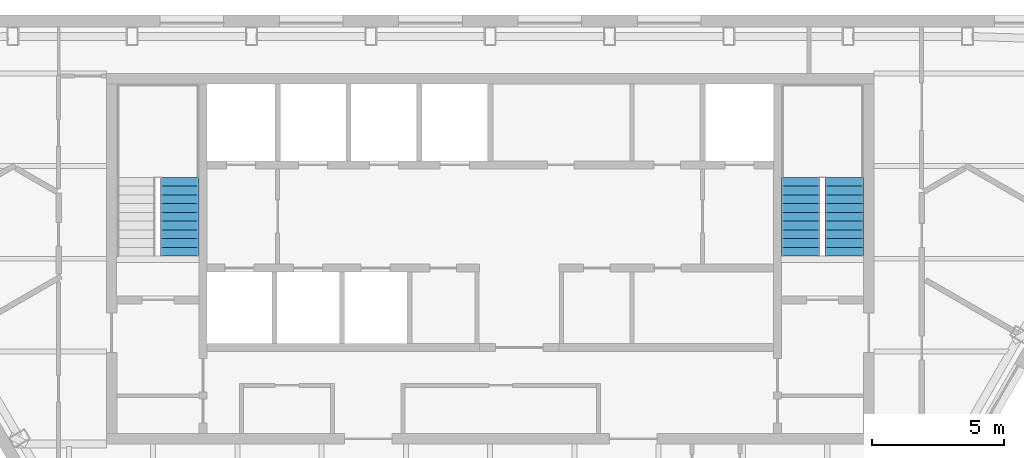
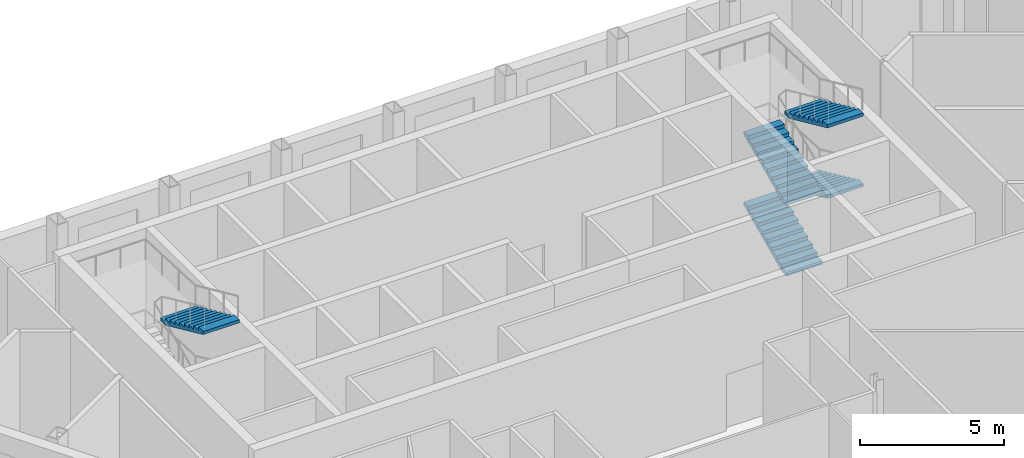
# One storey, part 10 of 11: 5 stair flights, 2 elements without a shape of their own.
"""IFC4 building model written with IfcOpenShell, lengths in metres."""

from ifc_helpers import new_model, si_unit, direction, frame, origin, place, context, subcontext, project, spatial, polygons, material, type_object, element, aggregate, save


model = new_model("IFC4")

# Units and contexts
model_context = context("Model", 3, precision=1e-05, world=origin(), true_north=direction((0.0, 1.0)))
body_context = subcontext(model_context, "Body", "Model", "MODEL_VIEW")
ifc_project = project(units=[si_unit("LENGTHUNIT", "METRE"), si_unit("AREAUNIT", "SQUARE_METRE"), si_unit("VOLUMEUNIT", "CUBIC_METRE"), si_unit("PLANEANGLEUNIT", "RADIAN"), si_unit("MASSUNIT", "GRAM", prefix="KILO")], contexts=[model_context])

# Site, building, storey
site_placement = place(None, origin())
site = spatial("IfcSite", under=ifc_project, at=site_placement, CompositionType="ELEMENT")
building_placement = place(site_placement, origin())
building = spatial("IfcBuilding", under=site, at=building_placement, Name="Njiva Tower", CompositionType="ELEMENT")
storey_placement = place(building_placement, frame((0.0, 0.0, 298.2)))
storey = spatial("IfcBuildingStorey", under=building, at=storey_placement, Name="L68", CompositionType="ELEMENT", Elevation=298.2)

# Stair, stair flight
ifc_material = material(Name="Concrete C40/50", Category="concrete")
stair_type = type_object("IfcStairType", Name="ST3 Exit stair 1450", PredefinedType="HALF_TURN_STAIR", material=ifc_material)
stair_1_placement = place(storey_placement, origin())
stair_1 = element("IfcStair", 1, at=stair_1_placement, inside=storey, type_object=stair_type, Name="Stair A", PredefinedType="DOUBLE_RETURN_STAIR")
stair_flight_type = type_object("IfcStairFlightType", Name="FL3 Stair flight 1450", PredefinedType="STRAIGHT", material=ifc_material)
stair_flight_1_placement = place(storey_placement, frame((-11.725, 14.07, 4.5), z_axis=(0.0, 0.0, 1.0), x_axis=(0.0, -1.0, 0.0)))
stair_flight_1 = element("IfcStairFlight", 2, at=stair_flight_1_placement, type_object=stair_flight_type, Name="ST-A flight 4", NumberOfRisers=10, NumberOfTreads=9, PredefinedType="STRAIGHT", RiserHeight=0.15, TreadLength=0.33, context=body_context, shape_type="Tessellation", body=[
    polygons([(0.0, 0.725, 0.0), (0.0, 0.3625, 0.0), (0.0, 0.0, 0.0), (0.0, -0.3625, 0.0), (0.0, -0.725, 0.0), (0.0, 0.725, 0.15), (0.0, 0.3625, 0.15), (0.0, 0.0, 0.15), (0.0, -0.3625, 0.15), (0.0, -0.725, 0.15), (0.33, 0.725, 0.15), (0.33, 0.3625, 0.15), (0.33, 0.0, 0.15), (0.33, -0.3625, 0.15), (0.33, -0.725, 0.15), (0.33, 0.725, 0.3), (0.33, 0.3625, 0.3), (0.33, 0.0, 0.3), (0.33, -0.3625, 0.3), (0.33, -0.725, 0.3), (0.66, 0.725, 0.3), (0.66, 0.3625, 0.3), (0.66, 0.0, 0.3), (0.66, -0.3625, 0.3), (0.66, -0.725, 0.3), (0.66, 0.725, 0.45), (0.66, 0.3625, 0.45), (0.66, 0.0, 0.45), (0.66, -0.3625, 0.45), (0.66, -0.725, 0.45), (0.99, 0.725, 0.45), (0.99, 0.3625, 0.45), (0.99, 0.0, 0.45), (0.99, -0.3625, 0.45), (0.99, -0.725, 0.45), (0.99, 0.725, 0.6), (0.99, 0.3625, 0.6), (0.99, 0.0, 0.6), (0.99, -0.3625, 0.6), (0.99, -0.725, 0.6), (1.32, 0.725, 0.6), (1.32, 0.3625, 0.6), (1.32, 0.0, 0.6), (1.32, -0.3625, 0.6), (1.32, -0.725, 0.6), (1.32, 0.725, 0.75), (1.32, 0.3625, 0.75), (1.32, 0.0, 0.75), (1.32, -0.3625, 0.75), (1.32, -0.725, 0.75), (1.65, 0.725, 0.75), (1.65, 0.3625, 0.75), (1.65, 0.0, 0.75), (1.65, -0.3625, 0.75), (1.65, -0.725, 0.75), (1.65, 0.725, 0.9), (1.65, 0.3625, 0.9), (1.65, 0.0, 0.9), (1.65, -0.3625, 0.9), (1.65, -0.725, 0.9), (1.98, 0.725, 0.9), (1.98, 0.3625, 0.9), (1.98, 0.0, 0.9), (1.98, -0.3625, 0.9), (1.98, -0.725, 0.9), (1.98, 0.725, 1.05), (1.98, 0.3625, 1.05), (1.98, 0.0, 1.05), (1.98, -0.3625, 1.05), (1.98, -0.725, 1.05), (2.31, 0.725, 1.05), (2.31, 0.3625, 1.05), (2.31, 0.0, 1.05), (2.31, -0.3625, 1.05), (2.31, -0.725, 1.05), (2.31, 0.725, 1.2), (2.31, 0.3625, 1.2), (2.31, 0.0, 1.2), (2.31, -0.3625, 1.2), (2.31, -0.725, 1.2), (2.64, 0.725, 1.2), (2.64, 0.3625, 1.2), (2.64, 0.0, 1.2), (2.64, -0.3625, 1.2), (2.64, -0.725, 1.2), (2.64, 0.725, 1.35), (2.64, 0.3625, 1.35), (2.64, 0.0, 1.35), (2.64, -0.3625, 1.35), (2.64, -0.725, 1.35), (2.97, 0.725, 1.35), (2.97, 0.3625, 1.35), (2.97, 0.0, 1.35), (2.97, -0.3625, 1.35), (2.97, -0.725, 1.35), (2.97, 0.725, 1.2182), (2.97, 0.3625, 1.2182), (2.97, 0.0, 1.2182), (2.97, -0.3625, 1.2182), (2.97, -0.725, 1.2182), (0.29, 0.725, 0.0), (0.29, 0.3625, 0.0), (0.29, 0.0, 0.0), (0.29, -0.3625, 0.0), (0.29, -0.725, 0.0)], [[[1, 6, 11, 16, 21, 26, 31, 36, 41, 46, 51, 56, 61, 66, 71, 76, 81, 86, 91, 96, 101]], [[105, 100, 95, 90, 85, 80, 75, 70, 65, 60, 55, 50, 45, 40, 35, 30, 25, 20, 15, 10, 5]], [[6, 1, 2, 7]], [[7, 2, 3, 8]], [[8, 3, 4, 9]], [[9, 4, 5, 10]], [[11, 6, 7, 12]], [[12, 7, 8, 13]], [[13, 8, 9, 14]], [[14, 9, 10, 15]], [[16, 11, 12, 17]], [[17, 12, 13, 18]], [[18, 13, 14, 19]], [[19, 14, 15, 20]], [[21, 16, 17, 22]], [[22, 17, 18, 23]], [[23, 18, 19, 24]], [[24, 19, 20, 25]], [[26, 21, 22, 27]], [[27, 22, 23, 28]], [[28, 23, 24, 29]], [[29, 24, 25, 30]], [[31, 26, 27, 32]], [[32, 27, 28, 33]], [[33, 28, 29, 34]], [[34, 29, 30, 35]], [[36, 31, 32, 37]], [[37, 32, 33, 38]], [[38, 33, 34, 39]], [[39, 34, 35, 40]], [[41, 36, 37, 42]], [[42, 37, 38, 43]], [[43, 38, 39, 44]], [[44, 39, 40, 45]], [[46, 41, 42, 47]], [[47, 42, 43, 48]], [[48, 43, 44, 49]], [[49, 44, 45, 50]], [[51, 46, 47, 52]], [[52, 47, 48, 53]], [[53, 48, 49, 54]], [[54, 49, 50, 55]], [[56, 51, 52, 57]], [[57, 52, 53, 58]], [[58, 53, 54, 59]], [[59, 54, 55, 60]], [[61, 56, 57, 62]], [[62, 57, 58, 63]], [[63, 58, 59, 64]], [[64, 59, 60, 65]], [[66, 61, 62, 67]], [[67, 62, 63, 68]], [[68, 63, 64, 69]], [[69, 64, 65, 70]], [[71, 66, 67, 72]], [[72, 67, 68, 73]], [[73, 68, 69, 74]], [[74, 69, 70, 75]], [[76, 71, 72, 77]], [[77, 72, 73, 78]], [[78, 73, 74, 79]], [[79, 74, 75, 80]], [[81, 76, 77, 82]], [[82, 77, 78, 83]], [[83, 78, 79, 84]], [[84, 79, 80, 85]], [[86, 81, 82, 87]], [[87, 82, 83, 88]], [[88, 83, 84, 89]], [[89, 84, 85, 90]], [[91, 86, 87, 92]], [[92, 87, 88, 93]], [[93, 88, 89, 94]], [[94, 89, 90, 95]], [[96, 91, 92, 97]], [[97, 92, 93, 98]], [[98, 93, 94, 99]], [[99, 94, 95, 100]], [[101, 96, 97, 102]], [[102, 97, 98, 103]], [[103, 98, 99, 104]], [[104, 99, 100, 105]], [[1, 101, 102, 2]], [[2, 102, 103, 3]], [[3, 103, 104, 4]], [[4, 104, 105, 5]]], closed=True),
])
aggregate(stair_1, [stair_flight_1])

# Stair, stair flights
stair_2_placement = place(storey_placement, origin())
stair_2 = element("IfcStair", 3, at=stair_2_placement, inside=storey, type_object=stair_type, Name="Stair B", PredefinedType="DOUBLE_RETURN_STAIR")
stair_flight_2_placement = place(storey_placement, frame((11.725, 11.1, 0.0), z_axis=(0.0, 0.0, 1.0), x_axis=(0.0, 1.0, 0.0)))
stair_flight_2 = element("IfcStairFlight", 4, at=stair_flight_2_placement, type_object=stair_flight_type, Name="ST-B flight 1", NumberOfRisers=10, NumberOfTreads=9, PredefinedType="STRAIGHT", RiserHeight=0.15, TreadLength=0.33, context=body_context, shape_type="Tessellation", body=[
    polygons([(0.0, 0.725, 0.0), (0.0, 0.3625, 0.0), (0.0, 0.0, 0.0), (0.0, -0.3625, 0.0), (0.0, -0.725, 0.0), (0.0, 0.725, 0.15), (0.0, 0.3625, 0.15), (0.0, 0.0, 0.15), (0.0, -0.3625, 0.15), (0.0, -0.725, 0.15), (0.33, 0.725, 0.15), (0.33, 0.3625, 0.15), (0.33, 0.0, 0.15), (0.33, -0.3625, 0.15), (0.33, -0.725, 0.15), (0.33, 0.725, 0.3), (0.33, 0.3625, 0.3), (0.33, 0.0, 0.3), (0.33, -0.3625, 0.3), (0.33, -0.725, 0.3), (0.66, 0.725, 0.3), (0.66, 0.3625, 0.3), (0.66, 0.0, 0.3), (0.66, -0.3625, 0.3), (0.66, -0.725, 0.3), (0.66, 0.725, 0.45), (0.66, 0.3625, 0.45), (0.66, 0.0, 0.45), (0.66, -0.3625, 0.45), (0.66, -0.725, 0.45), (0.99, 0.725, 0.45), (0.99, 0.3625, 0.45), (0.99, 0.0, 0.45), (0.99, -0.3625, 0.45), (0.99, -0.725, 0.45), (0.99, 0.725, 0.6), (0.99, 0.3625, 0.6), (0.99, 0.0, 0.6), (0.99, -0.3625, 0.6), (0.99, -0.725, 0.6), (1.32, 0.725, 0.6), (1.32, 0.3625, 0.6), (1.32, 0.0, 0.6), (1.32, -0.3625, 0.6), (1.32, -0.725, 0.6), (1.32, 0.725, 0.75), (1.32, 0.3625, 0.75), (1.32, 0.0, 0.75), (1.32, -0.3625, 0.75), (1.32, -0.725, 0.75), (1.65, 0.725, 0.75), (1.65, 0.3625, 0.75), (1.65, 0.0, 0.75), (1.65, -0.3625, 0.75), (1.65, -0.725, 0.75), (1.65, 0.725, 0.9), (1.65, 0.3625, 0.9), (1.65, 0.0, 0.9), (1.65, -0.3625, 0.9), (1.65, -0.725, 0.9), (1.98, 0.725, 0.9), (1.98, 0.3625, 0.9), (1.98, 0.0, 0.9), (1.98, -0.3625, 0.9), (1.98, -0.725, 0.9), (1.98, 0.725, 1.05), (1.98, 0.3625, 1.05), (1.98, 0.0, 1.05), (1.98, -0.3625, 1.05), (1.98, -0.725, 1.05), (2.31, 0.725, 1.05), (2.31, 0.3625, 1.05), (2.31, 0.0, 1.05), (2.31, -0.3625, 1.05), (2.31, -0.725, 1.05), (2.31, 0.725, 1.2), (2.31, 0.3625, 1.2), (2.31, 0.0, 1.2), (2.31, -0.3625, 1.2), (2.31, -0.725, 1.2), (2.64, 0.725, 1.2), (2.64, 0.3625, 1.2), (2.64, 0.0, 1.2), (2.64, -0.3625, 1.2), (2.64, -0.725, 1.2), (2.64, 0.725, 1.35), (2.64, 0.3625, 1.35), (2.64, 0.0, 1.35), (2.64, -0.3625, 1.35), (2.64, -0.725, 1.35), (2.97, 0.725, 1.35), (2.97, 0.3625, 1.35), (2.97, 0.0, 1.35), (2.97, -0.3625, 1.35), (2.97, -0.725, 1.35), (2.97, 0.725, 1.2182), (2.97, 0.3625, 1.2182), (2.97, 0.0, 1.2182), (2.97, -0.3625, 1.2182), (2.97, -0.725, 1.2182), (0.29, 0.725, 0.0), (0.29, 0.3625, 0.0), (0.29, 0.0, 0.0), (0.29, -0.3625, 0.0), (0.29, -0.725, 0.0)], [[[1, 6, 11, 16, 21, 26, 31, 36, 41, 46, 51, 56, 61, 66, 71, 76, 81, 86, 91, 96, 101]], [[105, 100, 95, 90, 85, 80, 75, 70, 65, 60, 55, 50, 45, 40, 35, 30, 25, 20, 15, 10, 5]], [[6, 1, 2, 7]], [[7, 2, 3, 8]], [[8, 3, 4, 9]], [[9, 4, 5, 10]], [[11, 6, 7, 12]], [[12, 7, 8, 13]], [[13, 8, 9, 14]], [[14, 9, 10, 15]], [[16, 11, 12, 17]], [[17, 12, 13, 18]], [[18, 13, 14, 19]], [[19, 14, 15, 20]], [[21, 16, 17, 22]], [[22, 17, 18, 23]], [[23, 18, 19, 24]], [[24, 19, 20, 25]], [[26, 21, 22, 27]], [[27, 22, 23, 28]], [[28, 23, 24, 29]], [[29, 24, 25, 30]], [[31, 26, 27, 32]], [[32, 27, 28, 33]], [[33, 28, 29, 34]], [[34, 29, 30, 35]], [[36, 31, 32, 37]], [[37, 32, 33, 38]], [[38, 33, 34, 39]], [[39, 34, 35, 40]], [[41, 36, 37, 42]], [[42, 37, 38, 43]], [[43, 38, 39, 44]], [[44, 39, 40, 45]], [[46, 41, 42, 47]], [[47, 42, 43, 48]], [[48, 43, 44, 49]], [[49, 44, 45, 50]], [[51, 46, 47, 52]], [[52, 47, 48, 53]], [[53, 48, 49, 54]], [[54, 49, 50, 55]], [[56, 51, 52, 57]], [[57, 52, 53, 58]], [[58, 53, 54, 59]], [[59, 54, 55, 60]], [[61, 56, 57, 62]], [[62, 57, 58, 63]], [[63, 58, 59, 64]], [[64, 59, 60, 65]], [[66, 61, 62, 67]], [[67, 62, 63, 68]], [[68, 63, 64, 69]], [[69, 64, 65, 70]], [[71, 66, 67, 72]], [[72, 67, 68, 73]], [[73, 68, 69, 74]], [[74, 69, 70, 75]], [[76, 71, 72, 77]], [[77, 72, 73, 78]], [[78, 73, 74, 79]], [[79, 74, 75, 80]], [[81, 76, 77, 82]], [[82, 77, 78, 83]], [[83, 78, 79, 84]], [[84, 79, 80, 85]], [[86, 81, 82, 87]], [[87, 82, 83, 88]], [[88, 83, 84, 89]], [[89, 84, 85, 90]], [[91, 86, 87, 92]], [[92, 87, 88, 93]], [[93, 88, 89, 94]], [[94, 89, 90, 95]], [[96, 91, 92, 97]], [[97, 92, 93, 98]], [[98, 93, 94, 99]], [[99, 94, 95, 100]], [[101, 96, 97, 102]], [[102, 97, 98, 103]], [[103, 98, 99, 104]], [[104, 99, 100, 105]], [[1, 101, 102, 2]], [[2, 102, 103, 3]], [[3, 103, 104, 4]], [[4, 104, 105, 5]]], closed=True),
])
stair_flight_3_placement = place(storey_placement, frame((13.375, 14.07, 1.5), z_axis=(0.0, 0.0, 1.0), x_axis=(0.0, -1.0, 0.0)))
stair_flight_3 = element("IfcStairFlight", 5, at=stair_flight_3_placement, type_object=stair_flight_type, Name="ST-B flight 2", NumberOfRisers=10, NumberOfTreads=9, PredefinedType="STRAIGHT", RiserHeight=0.15, TreadLength=0.33, context=body_context, shape_type="Tessellation", body=[
    polygons([(0.0, 0.725, 0.0), (0.0, 0.3625, 0.0), (0.0, 0.0, 0.0), (0.0, -0.3625, 0.0), (0.0, -0.725, 0.0), (0.0, 0.725, 0.15), (0.0, 0.3625, 0.15), (0.0, 0.0, 0.15), (0.0, -0.3625, 0.15), (0.0, -0.725, 0.15), (0.33, 0.725, 0.15), (0.33, 0.3625, 0.15), (0.33, 0.0, 0.15), (0.33, -0.3625, 0.15), (0.33, -0.725, 0.15), (0.33, 0.725, 0.3), (0.33, 0.3625, 0.3), (0.33, 0.0, 0.3), (0.33, -0.3625, 0.3), (0.33, -0.725, 0.3), (0.66, 0.725, 0.3), (0.66, 0.3625, 0.3), (0.66, 0.0, 0.3), (0.66, -0.3625, 0.3), (0.66, -0.725, 0.3), (0.66, 0.725, 0.45), (0.66, 0.3625, 0.45), (0.66, 0.0, 0.45), (0.66, -0.3625, 0.45), (0.66, -0.725, 0.45), (0.99, 0.725, 0.45), (0.99, 0.3625, 0.45), (0.99, 0.0, 0.45), (0.99, -0.3625, 0.45), (0.99, -0.725, 0.45), (0.99, 0.725, 0.6), (0.99, 0.3625, 0.6), (0.99, 0.0, 0.6), (0.99, -0.3625, 0.6), (0.99, -0.725, 0.6), (1.32, 0.725, 0.6), (1.32, 0.3625, 0.6), (1.32, 0.0, 0.6), (1.32, -0.3625, 0.6), (1.32, -0.725, 0.6), (1.32, 0.725, 0.75), (1.32, 0.3625, 0.75), (1.32, 0.0, 0.75), (1.32, -0.3625, 0.75), (1.32, -0.725, 0.75), (1.65, 0.725, 0.75), (1.65, 0.3625, 0.75), (1.65, 0.0, 0.75), (1.65, -0.3625, 0.75), (1.65, -0.725, 0.75), (1.65, 0.725, 0.9), (1.65, 0.3625, 0.9), (1.65, 0.0, 0.9), (1.65, -0.3625, 0.9), (1.65, -0.725, 0.9), (1.98, 0.725, 0.9), (1.98, 0.3625, 0.9), (1.98, 0.0, 0.9), (1.98, -0.3625, 0.9), (1.98, -0.725, 0.9), (1.98, 0.725, 1.05), (1.98, 0.3625, 1.05), (1.98, 0.0, 1.05), (1.98, -0.3625, 1.05), (1.98, -0.725, 1.05), (2.31, 0.725, 1.05), (2.31, 0.3625, 1.05), (2.31, 0.0, 1.05), (2.31, -0.3625, 1.05), (2.31, -0.725, 1.05), (2.31, 0.725, 1.2), (2.31, 0.3625, 1.2), (2.31, 0.0, 1.2), (2.31, -0.3625, 1.2), (2.31, -0.725, 1.2), (2.64, 0.725, 1.2), (2.64, 0.3625, 1.2), (2.64, 0.0, 1.2), (2.64, -0.3625, 1.2), (2.64, -0.725, 1.2), (2.64, 0.725, 1.35), (2.64, 0.3625, 1.35), (2.64, 0.0, 1.35), (2.64, -0.3625, 1.35), (2.64, -0.725, 1.35), (2.97, 0.725, 1.35), (2.97, 0.3625, 1.35), (2.97, 0.0, 1.35), (2.97, -0.3625, 1.35), (2.97, -0.725, 1.35), (2.97, 0.725, 1.2182), (2.97, 0.3625, 1.2182), (2.97, 0.0, 1.2182), (2.97, -0.3625, 1.2182), (2.97, -0.725, 1.2182), (0.29, 0.725, 0.0), (0.29, 0.3625, 0.0), (0.29, 0.0, 0.0), (0.29, -0.3625, 0.0), (0.29, -0.725, 0.0)], [[[1, 6, 11, 16, 21, 26, 31, 36, 41, 46, 51, 56, 61, 66, 71, 76, 81, 86, 91, 96, 101]], [[105, 100, 95, 90, 85, 80, 75, 70, 65, 60, 55, 50, 45, 40, 35, 30, 25, 20, 15, 10, 5]], [[6, 1, 2, 7]], [[7, 2, 3, 8]], [[8, 3, 4, 9]], [[9, 4, 5, 10]], [[11, 6, 7, 12]], [[12, 7, 8, 13]], [[13, 8, 9, 14]], [[14, 9, 10, 15]], [[16, 11, 12, 17]], [[17, 12, 13, 18]], [[18, 13, 14, 19]], [[19, 14, 15, 20]], [[21, 16, 17, 22]], [[22, 17, 18, 23]], [[23, 18, 19, 24]], [[24, 19, 20, 25]], [[26, 21, 22, 27]], [[27, 22, 23, 28]], [[28, 23, 24, 29]], [[29, 24, 25, 30]], [[31, 26, 27, 32]], [[32, 27, 28, 33]], [[33, 28, 29, 34]], [[34, 29, 30, 35]], [[36, 31, 32, 37]], [[37, 32, 33, 38]], [[38, 33, 34, 39]], [[39, 34, 35, 40]], [[41, 36, 37, 42]], [[42, 37, 38, 43]], [[43, 38, 39, 44]], [[44, 39, 40, 45]], [[46, 41, 42, 47]], [[47, 42, 43, 48]], [[48, 43, 44, 49]], [[49, 44, 45, 50]], [[51, 46, 47, 52]], [[52, 47, 48, 53]], [[53, 48, 49, 54]], [[54, 49, 50, 55]], [[56, 51, 52, 57]], [[57, 52, 53, 58]], [[58, 53, 54, 59]], [[59, 54, 55, 60]], [[61, 56, 57, 62]], [[62, 57, 58, 63]], [[63, 58, 59, 64]], [[64, 59, 60, 65]], [[66, 61, 62, 67]], [[67, 62, 63, 68]], [[68, 63, 64, 69]], [[69, 64, 65, 70]], [[71, 66, 67, 72]], [[72, 67, 68, 73]], [[73, 68, 69, 74]], [[74, 69, 70, 75]], [[76, 71, 72, 77]], [[77, 72, 73, 78]], [[78, 73, 74, 79]], [[79, 74, 75, 80]], [[81, 76, 77, 82]], [[82, 77, 78, 83]], [[83, 78, 79, 84]], [[84, 79, 80, 85]], [[86, 81, 82, 87]], [[87, 82, 83, 88]], [[88, 83, 84, 89]], [[89, 84, 85, 90]], [[91, 86, 87, 92]], [[92, 87, 88, 93]], [[93, 88, 89, 94]], [[94, 89, 90, 95]], [[96, 91, 92, 97]], [[97, 92, 93, 98]], [[98, 93, 94, 99]], [[99, 94, 95, 100]], [[101, 96, 97, 102]], [[102, 97, 98, 103]], [[103, 98, 99, 104]], [[104, 99, 100, 105]], [[1, 101, 102, 2]], [[2, 102, 103, 3]], [[3, 103, 104, 4]], [[4, 104, 105, 5]]], closed=True),
])
stair_flight_4_placement = place(storey_placement, frame((11.725, 11.1, 3.0), z_axis=(0.0, 0.0, 1.0), x_axis=(0.0, 1.0, 0.0)))
stair_flight_4 = element("IfcStairFlight", 6, at=stair_flight_4_placement, type_object=stair_flight_type, Name="ST-B flight 3", NumberOfRisers=10, NumberOfTreads=9, PredefinedType="STRAIGHT", RiserHeight=0.15, TreadLength=0.33, context=body_context, shape_type="Tessellation", body=[
    polygons([(0.0, 0.725, 0.0), (0.0, 0.3625, 0.0), (0.0, 0.0, 0.0), (0.0, -0.3625, 0.0), (0.0, -0.725, 0.0), (0.0, 0.725, 0.15), (0.0, 0.3625, 0.15), (0.0, 0.0, 0.15), (0.0, -0.3625, 0.15), (0.0, -0.725, 0.15), (0.33, 0.725, 0.15), (0.33, 0.3625, 0.15), (0.33, 0.0, 0.15), (0.33, -0.3625, 0.15), (0.33, -0.725, 0.15), (0.33, 0.725, 0.3), (0.33, 0.3625, 0.3), (0.33, 0.0, 0.3), (0.33, -0.3625, 0.3), (0.33, -0.725, 0.3), (0.66, 0.725, 0.3), (0.66, 0.3625, 0.3), (0.66, 0.0, 0.3), (0.66, -0.3625, 0.3), (0.66, -0.725, 0.3), (0.66, 0.725, 0.45), (0.66, 0.3625, 0.45), (0.66, 0.0, 0.45), (0.66, -0.3625, 0.45), (0.66, -0.725, 0.45), (0.99, 0.725, 0.45), (0.99, 0.3625, 0.45), (0.99, 0.0, 0.45), (0.99, -0.3625, 0.45), (0.99, -0.725, 0.45), (0.99, 0.725, 0.6), (0.99, 0.3625, 0.6), (0.99, 0.0, 0.6), (0.99, -0.3625, 0.6), (0.99, -0.725, 0.6), (1.32, 0.725, 0.6), (1.32, 0.3625, 0.6), (1.32, 0.0, 0.6), (1.32, -0.3625, 0.6), (1.32, -0.725, 0.6), (1.32, 0.725, 0.75), (1.32, 0.3625, 0.75), (1.32, 0.0, 0.75), (1.32, -0.3625, 0.75), (1.32, -0.725, 0.75), (1.65, 0.725, 0.75), (1.65, 0.3625, 0.75), (1.65, 0.0, 0.75), (1.65, -0.3625, 0.75), (1.65, -0.725, 0.75), (1.65, 0.725, 0.9), (1.65, 0.3625, 0.9), (1.65, 0.0, 0.9), (1.65, -0.3625, 0.9), (1.65, -0.725, 0.9), (1.98, 0.725, 0.9), (1.98, 0.3625, 0.9), (1.98, 0.0, 0.9), (1.98, -0.3625, 0.9), (1.98, -0.725, 0.9), (1.98, 0.725, 1.05), (1.98, 0.3625, 1.05), (1.98, 0.0, 1.05), (1.98, -0.3625, 1.05), (1.98, -0.725, 1.05), (2.31, 0.725, 1.05), (2.31, 0.3625, 1.05), (2.31, 0.0, 1.05), (2.31, -0.3625, 1.05), (2.31, -0.725, 1.05), (2.31, 0.725, 1.2), (2.31, 0.3625, 1.2), (2.31, 0.0, 1.2), (2.31, -0.3625, 1.2), (2.31, -0.725, 1.2), (2.64, 0.725, 1.2), (2.64, 0.3625, 1.2), (2.64, 0.0, 1.2), (2.64, -0.3625, 1.2), (2.64, -0.725, 1.2), (2.64, 0.725, 1.35), (2.64, 0.3625, 1.35), (2.64, 0.0, 1.35), (2.64, -0.3625, 1.35), (2.64, -0.725, 1.35), (2.97, 0.725, 1.35), (2.97, 0.3625, 1.35), (2.97, 0.0, 1.35), (2.97, -0.3625, 1.35), (2.97, -0.725, 1.35), (2.97, 0.725, 1.2182), (2.97, 0.3625, 1.2182), (2.97, 0.0, 1.2182), (2.97, -0.3625, 1.2182), (2.97, -0.725, 1.2182), (0.29, 0.725, 0.0), (0.29, 0.3625, 0.0), (0.29, 0.0, 0.0), (0.29, -0.3625, 0.0), (0.29, -0.725, 0.0)], [[[1, 6, 11, 16, 21, 26, 31, 36, 41, 46, 51, 56, 61, 66, 71, 76, 81, 86, 91, 96, 101]], [[105, 100, 95, 90, 85, 80, 75, 70, 65, 60, 55, 50, 45, 40, 35, 30, 25, 20, 15, 10, 5]], [[6, 1, 2, 7]], [[7, 2, 3, 8]], [[8, 3, 4, 9]], [[9, 4, 5, 10]], [[11, 6, 7, 12]], [[12, 7, 8, 13]], [[13, 8, 9, 14]], [[14, 9, 10, 15]], [[16, 11, 12, 17]], [[17, 12, 13, 18]], [[18, 13, 14, 19]], [[19, 14, 15, 20]], [[21, 16, 17, 22]], [[22, 17, 18, 23]], [[23, 18, 19, 24]], [[24, 19, 20, 25]], [[26, 21, 22, 27]], [[27, 22, 23, 28]], [[28, 23, 24, 29]], [[29, 24, 25, 30]], [[31, 26, 27, 32]], [[32, 27, 28, 33]], [[33, 28, 29, 34]], [[34, 29, 30, 35]], [[36, 31, 32, 37]], [[37, 32, 33, 38]], [[38, 33, 34, 39]], [[39, 34, 35, 40]], [[41, 36, 37, 42]], [[42, 37, 38, 43]], [[43, 38, 39, 44]], [[44, 39, 40, 45]], [[46, 41, 42, 47]], [[47, 42, 43, 48]], [[48, 43, 44, 49]], [[49, 44, 45, 50]], [[51, 46, 47, 52]], [[52, 47, 48, 53]], [[53, 48, 49, 54]], [[54, 49, 50, 55]], [[56, 51, 52, 57]], [[57, 52, 53, 58]], [[58, 53, 54, 59]], [[59, 54, 55, 60]], [[61, 56, 57, 62]], [[62, 57, 58, 63]], [[63, 58, 59, 64]], [[64, 59, 60, 65]], [[66, 61, 62, 67]], [[67, 62, 63, 68]], [[68, 63, 64, 69]], [[69, 64, 65, 70]], [[71, 66, 67, 72]], [[72, 67, 68, 73]], [[73, 68, 69, 74]], [[74, 69, 70, 75]], [[76, 71, 72, 77]], [[77, 72, 73, 78]], [[78, 73, 74, 79]], [[79, 74, 75, 80]], [[81, 76, 77, 82]], [[82, 77, 78, 83]], [[83, 78, 79, 84]], [[84, 79, 80, 85]], [[86, 81, 82, 87]], [[87, 82, 83, 88]], [[88, 83, 84, 89]], [[89, 84, 85, 90]], [[91, 86, 87, 92]], [[92, 87, 88, 93]], [[93, 88, 89, 94]], [[94, 89, 90, 95]], [[96, 91, 92, 97]], [[97, 92, 93, 98]], [[98, 93, 94, 99]], [[99, 94, 95, 100]], [[101, 96, 97, 102]], [[102, 97, 98, 103]], [[103, 98, 99, 104]], [[104, 99, 100, 105]], [[1, 101, 102, 2]], [[2, 102, 103, 3]], [[3, 103, 104, 4]], [[4, 104, 105, 5]]], closed=True),
])
stair_flight_5_placement = place(storey_placement, frame((13.375, 14.07, 4.5), z_axis=(0.0, 0.0, 1.0), x_axis=(0.0, -1.0, 0.0)))
stair_flight_5 = element("IfcStairFlight", 7, at=stair_flight_5_placement, type_object=stair_flight_type, Name="ST-B flight 4", NumberOfRisers=10, NumberOfTreads=9, PredefinedType="STRAIGHT", RiserHeight=0.15, TreadLength=0.33, context=body_context, shape_type="Tessellation", body=[
    polygons([(0.0, 0.725, 0.0), (0.0, 0.3625, 0.0), (0.0, 0.0, 0.0), (0.0, -0.3625, 0.0), (0.0, -0.725, 0.0), (0.0, 0.725, 0.15), (0.0, 0.3625, 0.15), (0.0, 0.0, 0.15), (0.0, -0.3625, 0.15), (0.0, -0.725, 0.15), (0.33, 0.725, 0.15), (0.33, 0.3625, 0.15), (0.33, 0.0, 0.15), (0.33, -0.3625, 0.15), (0.33, -0.725, 0.15), (0.33, 0.725, 0.3), (0.33, 0.3625, 0.3), (0.33, 0.0, 0.3), (0.33, -0.3625, 0.3), (0.33, -0.725, 0.3), (0.66, 0.725, 0.3), (0.66, 0.3625, 0.3), (0.66, 0.0, 0.3), (0.66, -0.3625, 0.3), (0.66, -0.725, 0.3), (0.66, 0.725, 0.45), (0.66, 0.3625, 0.45), (0.66, 0.0, 0.45), (0.66, -0.3625, 0.45), (0.66, -0.725, 0.45), (0.99, 0.725, 0.45), (0.99, 0.3625, 0.45), (0.99, 0.0, 0.45), (0.99, -0.3625, 0.45), (0.99, -0.725, 0.45), (0.99, 0.725, 0.6), (0.99, 0.3625, 0.6), (0.99, 0.0, 0.6), (0.99, -0.3625, 0.6), (0.99, -0.725, 0.6), (1.32, 0.725, 0.6), (1.32, 0.3625, 0.6), (1.32, 0.0, 0.6), (1.32, -0.3625, 0.6), (1.32, -0.725, 0.6), (1.32, 0.725, 0.75), (1.32, 0.3625, 0.75), (1.32, 0.0, 0.75), (1.32, -0.3625, 0.75), (1.32, -0.725, 0.75), (1.65, 0.725, 0.75), (1.65, 0.3625, 0.75), (1.65, 0.0, 0.75), (1.65, -0.3625, 0.75), (1.65, -0.725, 0.75), (1.65, 0.725, 0.9), (1.65, 0.3625, 0.9), (1.65, 0.0, 0.9), (1.65, -0.3625, 0.9), (1.65, -0.725, 0.9), (1.98, 0.725, 0.9), (1.98, 0.3625, 0.9), (1.98, 0.0, 0.9), (1.98, -0.3625, 0.9), (1.98, -0.725, 0.9), (1.98, 0.725, 1.05), (1.98, 0.3625, 1.05), (1.98, 0.0, 1.05), (1.98, -0.3625, 1.05), (1.98, -0.725, 1.05), (2.31, 0.725, 1.05), (2.31, 0.3625, 1.05), (2.31, 0.0, 1.05), (2.31, -0.3625, 1.05), (2.31, -0.725, 1.05), (2.31, 0.725, 1.2), (2.31, 0.3625, 1.2), (2.31, 0.0, 1.2), (2.31, -0.3625, 1.2), (2.31, -0.725, 1.2), (2.64, 0.725, 1.2), (2.64, 0.3625, 1.2), (2.64, 0.0, 1.2), (2.64, -0.3625, 1.2), (2.64, -0.725, 1.2), (2.64, 0.725, 1.35), (2.64, 0.3625, 1.35), (2.64, 0.0, 1.35), (2.64, -0.3625, 1.35), (2.64, -0.725, 1.35), (2.97, 0.725, 1.35), (2.97, 0.3625, 1.35), (2.97, 0.0, 1.35), (2.97, -0.3625, 1.35), (2.97, -0.725, 1.35), (2.97, 0.725, 1.2182), (2.97, 0.3625, 1.2182), (2.97, 0.0, 1.2182), (2.97, -0.3625, 1.2182), (2.97, -0.725, 1.2182), (0.29, 0.725, 0.0), (0.29, 0.3625, 0.0), (0.29, 0.0, 0.0), (0.29, -0.3625, 0.0), (0.29, -0.725, 0.0)], [[[1, 6, 11, 16, 21, 26, 31, 36, 41, 46, 51, 56, 61, 66, 71, 76, 81, 86, 91, 96, 101]], [[105, 100, 95, 90, 85, 80, 75, 70, 65, 60, 55, 50, 45, 40, 35, 30, 25, 20, 15, 10, 5]], [[6, 1, 2, 7]], [[7, 2, 3, 8]], [[8, 3, 4, 9]], [[9, 4, 5, 10]], [[11, 6, 7, 12]], [[12, 7, 8, 13]], [[13, 8, 9, 14]], [[14, 9, 10, 15]], [[16, 11, 12, 17]], [[17, 12, 13, 18]], [[18, 13, 14, 19]], [[19, 14, 15, 20]], [[21, 16, 17, 22]], [[22, 17, 18, 23]], [[23, 18, 19, 24]], [[24, 19, 20, 25]], [[26, 21, 22, 27]], [[27, 22, 23, 28]], [[28, 23, 24, 29]], [[29, 24, 25, 30]], [[31, 26, 27, 32]], [[32, 27, 28, 33]], [[33, 28, 29, 34]], [[34, 29, 30, 35]], [[36, 31, 32, 37]], [[37, 32, 33, 38]], [[38, 33, 34, 39]], [[39, 34, 35, 40]], [[41, 36, 37, 42]], [[42, 37, 38, 43]], [[43, 38, 39, 44]], [[44, 39, 40, 45]], [[46, 41, 42, 47]], [[47, 42, 43, 48]], [[48, 43, 44, 49]], [[49, 44, 45, 50]], [[51, 46, 47, 52]], [[52, 47, 48, 53]], [[53, 48, 49, 54]], [[54, 49, 50, 55]], [[56, 51, 52, 57]], [[57, 52, 53, 58]], [[58, 53, 54, 59]], [[59, 54, 55, 60]], [[61, 56, 57, 62]], [[62, 57, 58, 63]], [[63, 58, 59, 64]], [[64, 59, 60, 65]], [[66, 61, 62, 67]], [[67, 62, 63, 68]], [[68, 63, 64, 69]], [[69, 64, 65, 70]], [[71, 66, 67, 72]], [[72, 67, 68, 73]], [[73, 68, 69, 74]], [[74, 69, 70, 75]], [[76, 71, 72, 77]], [[77, 72, 73, 78]], [[78, 73, 74, 79]], [[79, 74, 75, 80]], [[81, 76, 77, 82]], [[82, 77, 78, 83]], [[83, 78, 79, 84]], [[84, 79, 80, 85]], [[86, 81, 82, 87]], [[87, 82, 83, 88]], [[88, 83, 84, 89]], [[89, 84, 85, 90]], [[91, 86, 87, 92]], [[92, 87, 88, 93]], [[93, 88, 89, 94]], [[94, 89, 90, 95]], [[96, 91, 92, 97]], [[97, 92, 93, 98]], [[98, 93, 94, 99]], [[99, 94, 95, 100]], [[101, 96, 97, 102]], [[102, 97, 98, 103]], [[103, 98, 99, 104]], [[104, 99, 100, 105]], [[1, 101, 102, 2]], [[2, 102, 103, 3]], [[3, 103, 104, 4]], [[4, 104, 105, 5]]], closed=True),
])
aggregate(stair_2, [stair_flight_2, stair_flight_3, stair_flight_4, stair_flight_5])

save(model, "model.ifc")
